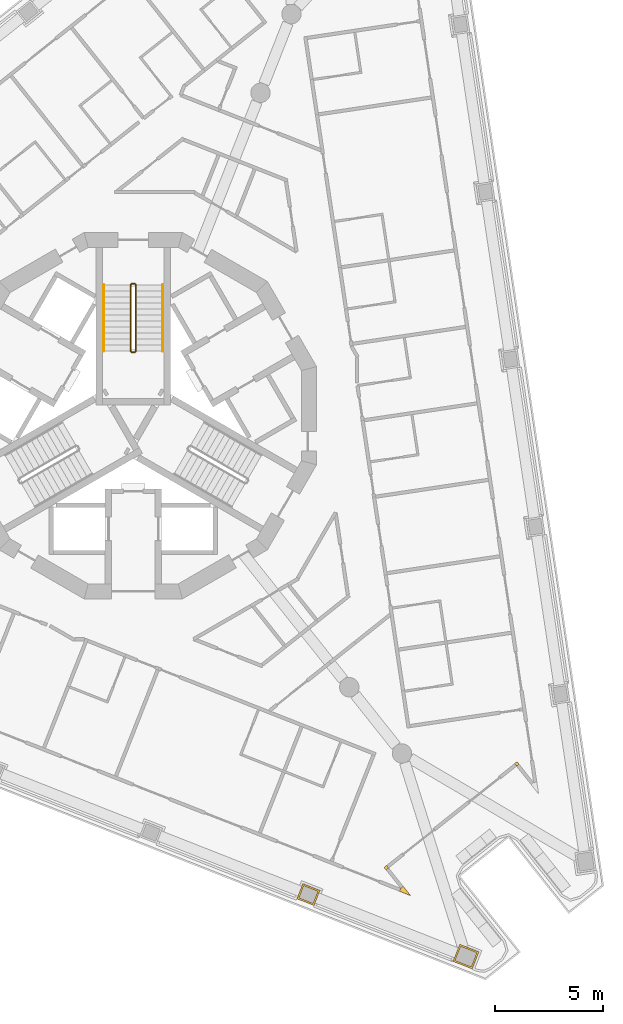
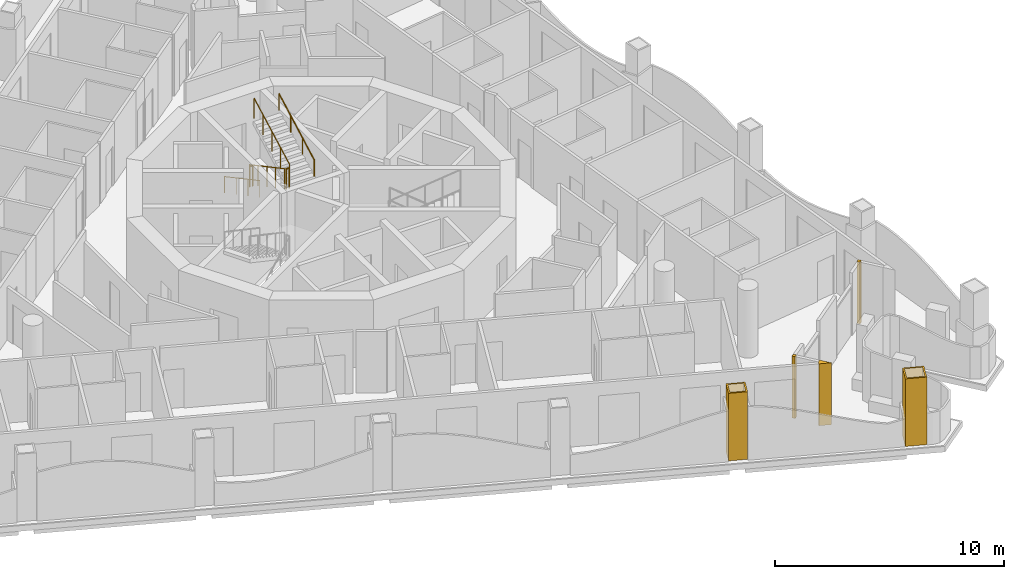
# One storey, part 14 of 17: 6 railings, 5 coverings.
"""IFC4 building model written with IfcOpenShell, lengths in metres."""

from ifc_helpers import new_model, si_unit, direction, frame, origin, origin_2d, place, context, subcontext, project, spatial, polyline, circle, outline, extrude, material, layer, layer_set, type_object, element, save


model = new_model("IFC4")

# Units and contexts
model_context = context("Model", 3, precision=1e-05, world=origin(), true_north=direction((0.0, 1.0)))
body_context = subcontext(model_context, "Body", "Model", "MODEL_VIEW")
ifc_project = project(units=[si_unit("LENGTHUNIT", "METRE"), si_unit("AREAUNIT", "SQUARE_METRE"), si_unit("VOLUMEUNIT", "CUBIC_METRE"), si_unit("PLANEANGLEUNIT", "RADIAN"), si_unit("MASSUNIT", "GRAM", prefix="KILO")], contexts=[model_context])

# Site, building, storey
site_placement = place(None, origin())
site = spatial("IfcSite", under=ifc_project, at=site_placement, CompositionType="ELEMENT")
building_placement = place(site_placement, origin())
building = spatial("IfcBuilding", under=site, at=building_placement, Name="Trine Commons Tower", CompositionType="ELEMENT")
storey_placement = place(building_placement, frame((0.0, 0.0, 208.800048828125)))
storey = spatial("IfcBuildingStorey", under=building, at=storey_placement, Name="L54", CompositionType="ELEMENT", Elevation=208.800048828125)

# Coverings
ifc_material_1 = material(Name="Aluminium-framed insulated wall panel", Category="aluminium")
ifc_layer_1 = layer(ifc_material_1, 0.14990234375)
ifc_layer_set_1 = layer_set([ifc_layer_1], Name="Aluminium-framed insulated wall panel")
covering_type_1 = type_object("IfcCoveringType", Name="Glazing corner post, aluminium", PredefinedType="CLADDING", material=ifc_layer_set_1)
covering_1_placement = place(storey_placement, origin())
element("IfcCovering", 1, at=covering_1_placement, inside=storey, type_object=covering_type_1, Name="Glazing corner post 6-07", PredefinedType="CLADDING", context=body_context, shape_type="SweptSolid", body=[
    extrude(outline(polyline([(97.682861328125, 46.35791015625), (97.7763671875, 46.240478515625), (97.7763671875, 46.240478515625), (97.893798828125, 46.333740234375), (97.80029296875, 46.451171875), (97.80029296875, 46.451171875), (97.682861328125, 46.35791015625)])), origin(), (0.0, 0.0, 1.0), 3.300048828125),
])
covering_2_placement = place(storey_placement, origin())
element("IfcCovering", 2, at=covering_2_placement, inside=storey, type_object=covering_type_1, Name="Glazing corner post 6-08", PredefinedType="CLADDING", context=body_context, shape_type="SweptSolid", body=[
    extrude(outline(polyline([(91.726806640625, 41.42822265625), (91.843994140625, 41.521728515625), (91.750732421875, 41.63916015625), (91.63330078125, 41.545654296875), (91.726806640625, 41.42822265625)])), origin(), (0.0, 0.0, 1.0), 3.300048828125),
])
covering_3_placement = place(storey_placement, origin())
element("IfcCovering", 3, at=covering_3_placement, inside=storey, type_object=covering_type_1, Name="Glazing corner post 6-09", PredefinedType="CLADDING", context=body_context, shape_type="SweptSolid", body=[
    extrude(outline(polyline([(92.34765625, 40.439208984375), (92.868408203125, 40.23388671875), (92.52001953125, 40.672119140625), (92.402587890625, 40.57861328125), (92.34765625, 40.439208984375)])), origin(), (0.0, 0.0, 1.0), 3.300048828125),
])
ifc_material_2 = material(Name="Limestone, honed", Category="masonry")
ifc_layer_2 = layer(ifc_material_2, 0.074951171875)
ifc_layer_set_2 = layer_set([ifc_layer_2], Name="Limestone, honed")
covering_type_2 = type_object("IfcCoveringType", Name="Limestone column cladding 75", PredefinedType="CLADDING", material=ifc_layer_set_2)
covering_4_placement = place(storey_placement, origin())
element("IfcCovering", 4, at=covering_4_placement, inside=storey, type_object=covering_type_2, Name="Limestone pier cladding 6-01", PredefinedType="CLADDING", context=body_context, shape_type="SweptSolid", body=[
    extrude(outline(polyline([(95.143310546875, 37.978271484375), (94.831787109375, 37.1875), (95.715576171875, 36.839111328125), (96.027099609375, 37.6298828125), (95.143310546875, 37.978271484375)]), holes=[polyline([(95.185546875, 37.880859375), (94.928955078125, 37.229736328125), (95.67333984375, 36.9365234375), (95.9296875, 37.587646484375), (95.185546875, 37.880859375)])]), origin(), (0.0, 0.0, 1.0), 3.599853515625),
])
covering_5_placement = place(storey_placement, origin())
element("IfcCovering", 5, at=covering_5_placement, inside=storey, type_object=covering_type_2, Name="Limestone pier cladding 6-02", PredefinedType="CLADDING", context=body_context, shape_type="SweptSolid", body=[
    extrude(outline(polyline([(87.8671875, 40.790771484375), (87.59228515625, 40.093017578125), (88.383056640625, 39.78125), (88.657958984375, 40.47900390625), (87.8671875, 40.790771484375)]), holes=[polyline([(87.909423828125, 40.693359375), (87.689453125, 40.13525390625), (88.3408203125, 39.878662109375), (88.560791015625, 40.436767578125), (87.909423828125, 40.693359375)])]), origin(), (0.0, 0.0, 1.0), 3.599853515625),
])

# Railings
ifc_material_3 = material(Name="Stainless steel balustrade", Category="steel")
railing_type_1 = type_object("IfcRailingType", Name="Stair guard, steel balustrade 1100", PredefinedType="GUARDRAIL", material=ifc_material_3)
railing_1_placement = place(storey_placement, frame((79.875, 68.570556640625, 0.14990234375)))
element("IfcRailing", 6, at=railing_1_placement, inside=storey, type_object=railing_type_1, Name="L54 ST1C stair guard 1", PredefinedType="GUARDRAIL", context=body_context, shape_type="SweptSolid", body=[
    extrude(circle(Radius=0.02392578125, at=origin_2d()), frame((0.0, 0.0, 1.076171875), z_axis=(0.0, -0.881467505477, 0.472244678941), x_axis=(1.0, 0.0, 0.0)), (0.0, 0.0, 1.0), 3.494140625),
    extrude(circle(Radius=0.02099609375, at=origin_2d()), origin(), (0.0, 0.0, 1.0), 1.052001953125),
    extrude(circle(Radius=0.02099609375, at=origin_2d()), frame((0.0, -0.77001953125, 0.41259765625)), (0.0, 0.0, 1.0), 1.052001953125),
    extrude(circle(Radius=0.02099609375, at=origin_2d()), frame((0.0, -1.5400390625, 0.8251953125)), (0.0, 0.0, 1.0), 1.052001953125),
    extrude(circle(Radius=0.02099609375, at=origin_2d()), frame((0.0, -2.31005859375, 1.237548828125)), (0.0, 0.0, 1.0), 1.052001953125),
    extrude(circle(Radius=0.02099609375, at=origin_2d()), frame((0.0, -3.080078125, 1.650146484375)), (0.0, 0.0, 1.0), 1.052001953125),
])
railing_2_placement = place(storey_placement, frame((79.925048828125, 65.440673828125, 1.800048828125)))
element("IfcRailing", 7, at=railing_2_placement, inside=storey, type_object=railing_type_1, Name="L54 ST1C stair guard 2", PredefinedType="GUARDRAIL", context=body_context, shape_type="SweptSolid", body=[
    extrude(circle(Radius=0.02392578125, at=origin_2d()), frame((0.0, 0.0, 1.076171875), z_axis=(1.0, 0.0, 0.0), x_axis=(0.0, 1.0, 0.0)), (0.0, 0.0, 1.0), 0.14990234375),
    extrude(circle(Radius=0.02099609375, at=origin_2d()), origin(), (0.0, 0.0, 1.0), 1.052001953125),
    extrude(circle(Radius=0.02099609375, at=origin_2d()), frame((0.14990234375, 0.0, 0.0)), (0.0, 0.0, 1.0), 1.052001953125),
])
railing_3_placement = place(storey_placement, frame((80.125, 65.490478515625, 1.949951171875)))
element("IfcRailing", 8, at=railing_3_placement, inside=storey, type_object=railing_type_1, Name="L54 ST1C stair guard 3", PredefinedType="GUARDRAIL", context=body_context, shape_type="SweptSolid", body=[
    extrude(circle(Radius=0.02392578125, at=origin_2d()), frame((0.0, 0.0, 1.076171875), z_axis=(0.0, 0.881496589024, 0.472190389079), x_axis=(-1.0, 0.0, 0.0)), (0.0, 0.0, 1.0), 3.494140625),
    extrude(circle(Radius=0.02099609375, at=origin_2d()), origin(), (0.0, 0.0, 1.0), 1.052001953125),
    extrude(circle(Radius=0.02099609375, at=origin_2d()), frame((0.0, 0.77001953125, 0.41259765625)), (0.0, 0.0, 1.0), 1.052001953125),
    extrude(circle(Radius=0.02099609375, at=origin_2d()), frame((0.0, 1.5400390625, 0.824951171875)), (0.0, 0.0, 1.0), 1.052001953125),
    extrude(circle(Radius=0.02099609375, at=origin_2d()), frame((0.0, 2.31005859375, 1.2373046875)), (0.0, 0.0, 1.0), 1.052001953125),
    extrude(circle(Radius=0.02099609375, at=origin_2d()), frame((0.0, 3.080078125, 1.64990234375)), (0.0, 0.0, 1.0), 1.052001953125),
])
railing_4_placement = place(storey_placement, frame((79.925048828125, 68.62060546875, 0.0)))
element("IfcRailing", 9, at=railing_4_placement, inside=storey, type_object=railing_type_1, Name="L54 ST1C stair guard 4", PredefinedType="GUARDRAIL", context=body_context, shape_type="SweptSolid", body=[
    extrude(circle(Radius=0.02392578125, at=origin_2d()), frame((0.0, 0.0, 1.076171875), z_axis=(1.0, 0.0, 0.0), x_axis=(0.0, 1.0, 0.0)), (0.0, 0.0, 1.0), 0.14990234375),
    extrude(circle(Radius=0.02099609375, at=origin_2d()), origin(), (0.0, 0.0, 1.0), 1.052001953125),
    extrude(circle(Radius=0.02099609375, at=origin_2d()), frame((0.14990234375, 0.0, 0.0)), (0.0, 0.0, 1.0), 1.052001953125),
])
ifc_material_4 = material(Name="Stainless steel handrail", Category="steel")
railing_type_2 = type_object("IfcRailingType", Name="Stair handrail, steel 900", PredefinedType="HANDRAIL", material=ifc_material_4)
railing_5_placement = place(storey_placement, frame((78.625, 68.570556640625, 0.14990234375)))
element("IfcRailing", 10, at=railing_5_placement, inside=storey, type_object=railing_type_2, Name="L54 ST1C stair handrail 1", PredefinedType="HANDRAIL", context=body_context, shape_type="SweptSolid", body=[
    extrude(circle(Radius=0.02099609375, at=origin_2d()), frame((0.0, 0.0, 0.87890625), z_axis=(0.0, -0.881467505477, 0.472244678941), x_axis=(1.0, 0.0, 0.0)), (0.0, 0.0, 1.0), 3.494140625),
    extrude(circle(Radius=0.01513671875, at=origin_2d()), origin(), (0.0, 0.0, 1.0), 0.85791015625),
    extrude(circle(Radius=0.01513671875, at=origin_2d()), frame((0.0, -1.026611328125, 0.550048828125)), (0.0, 0.0, 1.0), 0.85791015625),
    extrude(circle(Radius=0.01513671875, at=origin_2d()), frame((0.0, -2.053466796875, 1.10009765625)), (0.0, 0.0, 1.0), 0.85791015625),
    extrude(circle(Radius=0.01513671875, at=origin_2d()), frame((0.0, -3.080078125, 1.650146484375)), (0.0, 0.0, 1.0), 0.85791015625),
])
railing_6_placement = place(storey_placement, frame((81.375, 65.490478515625, 1.949951171875)))
element("IfcRailing", 11, at=railing_6_placement, inside=storey, type_object=railing_type_2, Name="L54 ST1C stair handrail 2", PredefinedType="HANDRAIL", context=body_context, shape_type="SweptSolid", body=[
    extrude(circle(Radius=0.02099609375, at=origin_2d()), frame((0.0, 0.0, 0.87890625), z_axis=(0.0, 0.881496589024, 0.472190389079), x_axis=(-1.0, 0.0, 0.0)), (0.0, 0.0, 1.0), 3.494140625),
    extrude(circle(Radius=0.01513671875, at=origin_2d()), origin(), (0.0, 0.0, 1.0), 0.85791015625),
    extrude(circle(Radius=0.01513671875, at=origin_2d()), frame((0.0, 1.026611328125, 0.550048828125)), (0.0, 0.0, 1.0), 0.85791015625),
    extrude(circle(Radius=0.01513671875, at=origin_2d()), frame((0.0, 2.053466796875, 1.099853515625)), (0.0, 0.0, 1.0), 0.85791015625),
    extrude(circle(Radius=0.01513671875, at=origin_2d()), frame((0.0, 3.080078125, 1.64990234375)), (0.0, 0.0, 1.0), 0.85791015625),
])

save(model, "model.ifc")
